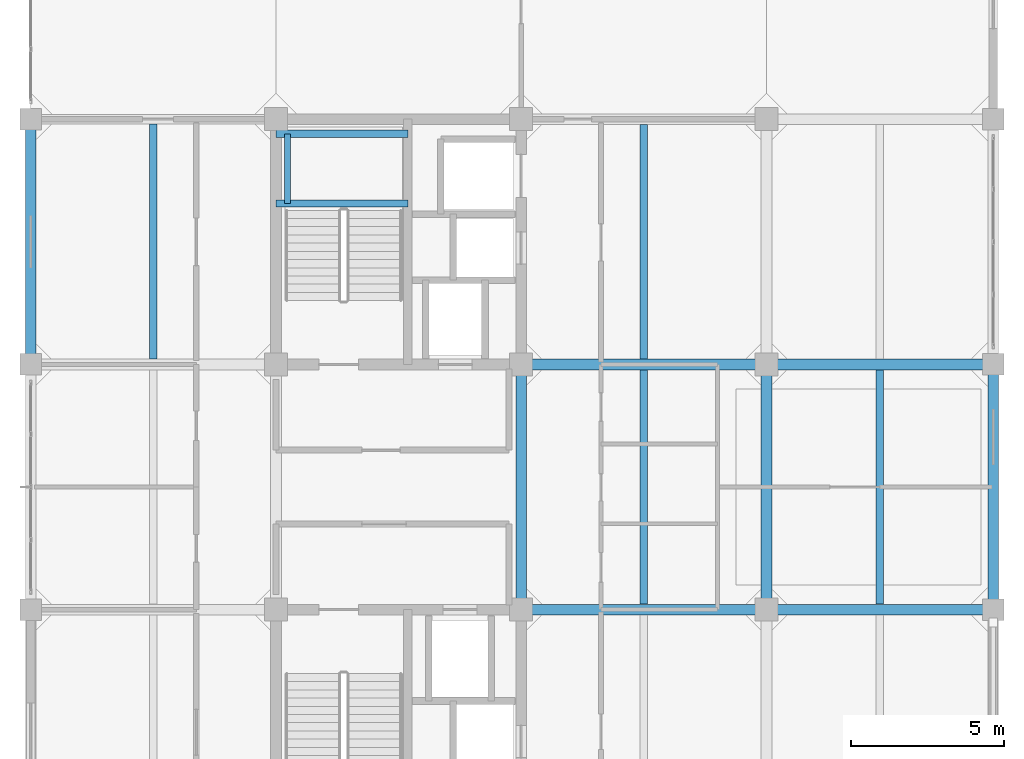
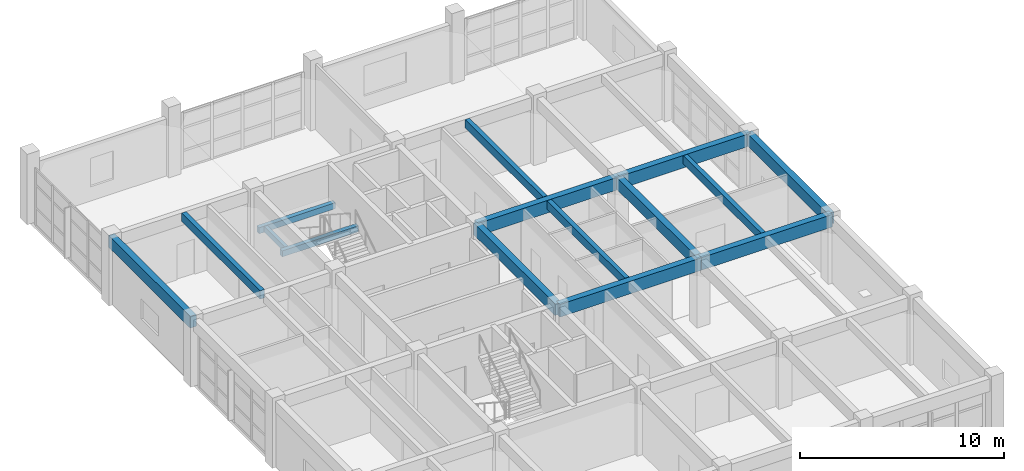
# One storey, part 8 of 19: 15 beams.
"""IFC4 building model written with IfcOpenShell, lengths in metres."""

from ifc_helpers import new_model, si_unit, direction, frame, origin, origin_2d, place, context, subcontext, project, spatial, rectangle, extrude, material, material_profile, profile_set, type_object, element, save


model = new_model("IFC4")

# Units and contexts
model_context = context("Model", 3, precision=1e-05, world=origin(), true_north=direction((0.0, 1.0)))
body_context = subcontext(model_context, "Body", "Model", "MODEL_VIEW")
ifc_project = project(units=[si_unit("LENGTHUNIT", "METRE"), si_unit("AREAUNIT", "SQUARE_METRE"), si_unit("VOLUMEUNIT", "CUBIC_METRE"), si_unit("PLANEANGLEUNIT", "RADIAN"), si_unit("MASSUNIT", "GRAM", prefix="KILO")], contexts=[model_context])

# Site, building, storey
site_placement = place(None, origin())
site = spatial("IfcSite", under=ifc_project, at=site_placement, CompositionType="ELEMENT")
building_placement = place(site_placement, origin())
building = spatial("IfcBuilding", under=site, at=building_placement, Name="Canggui Botanical Conservatory", CompositionType="ELEMENT")
storey_placement = place(building_placement, frame((0.0, 0.0, 44.39990234375)))
storey = spatial("IfcBuildingStorey", under=building, at=storey_placement, Name="L11", CompositionType="ELEMENT", Elevation=44.39990234375)

# Beams
ifc_material = material(Name="Concrete C35", Category="concrete")
ifc_material_profile_1 = material_profile(ifc_material, rectangle(XDim=0.25, YDim=0.5, at=origin_2d()), Name="RB 250x500")
ifc_profile_set_1 = profile_set([ifc_material_profile_1], Name="Concrete C35")
beam_type_1 = type_object("IfcBeamType", Name="BM-JST04", PredefinedType="JOIST", material=ifc_profile_set_1)
beam_1_placement = place(storey_placement, frame((150.0, 58.179931640625, 3.710205078125), z_axis=(0.0, 1.0, 0.0), x_axis=(-1.0, 0.0, 0.0)))
element("IfcBeam", 1, at=beam_1_placement, inside=storey, type_object=beam_type_1, Name="Secondary Floor Joist L11-1-4", PredefinedType="JOIST", context=body_context, shape_type="SweptSolid", body=[
    extrude(rectangle(XDim=0.25, YDim=0.5, at=origin_2d()), origin(), (0.0, 0.0, 1.0), 7.6650390625),
])
for number, where, z_axis, x_axis, name in (
    (2, (166.0, 50.179931640625, 3.710205078125), (0.0, 1.0, 0.0), (-1.0, 0.0, 0.0), "Secondary Floor Joist L11-3-3"),
    (3, (166.0, 58.179931640625, 3.710205078125), (0.0, 1.0, 0.0), (-1.0, 0.0, 0.0), "Secondary Floor Joist L11-3-4"),
    (4, (173.699951171875, 50.179931640625, 3.710205078125), (0.0, 1.0, 0.0), (-1.0, 0.0, 0.0), "Secondary Floor Joist L11-4-3"),
):
    element("IfcBeam", number, at=place(storey_placement, frame(where, z_axis=z_axis, x_axis=x_axis)), inside=storey, type_object=beam_type_1, Name=name, PredefinedType="JOIST", context=body_context, shape_type="SweptSolid", body=[
        extrude(rectangle(XDim=0.25, YDim=0.5, at=origin_2d()), origin(), (0.0, 0.0, 1.0), 7.64013671875),
    ])
ifc_material_profile_2 = material_profile(ifc_material, rectangle(XDim=0.35009765625, YDim=0.75, at=origin_2d()), Name="RB 350x750")
ifc_profile_set_2 = profile_set([ifc_material_profile_2], Name="Concrete C35")
beam_type_2 = type_object("IfcBeamType", Name="BM-KL16", PredefinedType="BEAM", material=ifc_profile_set_2)
beam_2_placement = place(storey_placement, frame((162.0, 50.0, 3.585205078125), z_axis=(1.0, 0.0, 0.0), x_axis=(0.0, 1.0, 0.0)))
element("IfcBeam", 5, at=beam_2_placement, inside=storey, type_object=beam_type_2, Name="Frame Girder L11 Y50-3", PredefinedType="BEAM", context=body_context, shape_type="SweptSolid", body=[
    extrude(rectangle(XDim=0.35009765625, YDim=0.75, at=origin_2d()), origin(), (0.0, 0.0, 1.0), 8.0),
])
beam_3_placement = place(storey_placement, frame((170.0, 50.0, 3.585205078125), z_axis=(1.0, 0.0, 0.0), x_axis=(0.0, 1.0, 0.0)))
element("IfcBeam", 6, at=beam_3_placement, inside=storey, type_object=beam_type_2, Name="Frame Girder L11 Y50-4", PredefinedType="BEAM", context=body_context, shape_type="SweptSolid", body=[
    extrude(rectangle(XDim=0.35009765625, YDim=0.75, at=origin_2d()), origin(), (0.0, 0.0, 1.0), 7.39990234375),
])
beam_4_placement = place(storey_placement, frame((162.0, 58.0, 3.585205078125), z_axis=(1.0, 0.0, 0.0), x_axis=(0.0, 1.0, 0.0)))
element("IfcBeam", 7, at=beam_4_placement, inside=storey, type_object=beam_type_2, Name="Frame Girder L11 Y58-3", PredefinedType="BEAM", context=body_context, shape_type="SweptSolid", body=[
    extrude(rectangle(XDim=0.35009765625, YDim=0.75, at=origin_2d()), origin(), (0.0, 0.0, 1.0), 8.0),
])
beam_5_placement = place(storey_placement, frame((170.0, 58.0, 3.585205078125), z_axis=(1.0, 0.0, 0.0), x_axis=(0.0, 1.0, 0.0)))
element("IfcBeam", 8, at=beam_5_placement, inside=storey, type_object=beam_type_2, Name="Frame Girder L11 Y58-4", PredefinedType="BEAM", context=body_context, shape_type="SweptSolid", body=[
    extrude(rectangle(XDim=0.35009765625, YDim=0.75, at=origin_2d()), origin(), (0.0, 0.0, 1.0), 7.39990234375),
])
ifc_material_profile_3 = material_profile(ifc_material, rectangle(XDim=0.35009765625, YDim=0.699951171875, at=origin_2d()), Name="RB 350x700")
ifc_profile_set_3 = profile_set([ifc_material_profile_3], Name="Concrete C35")
beam_type_3 = type_object("IfcBeamType", Name="BM-KL17", PredefinedType="BEAM", material=ifc_profile_set_3)
for number, where, z_axis, x_axis, name in (
    (9, (146.0, 58.0, 3.610107421875), (0.0, 1.0, 0.0), (-1.0, 0.0, 0.0), "Frame Girder L11 X146-4"),
    (10, (162.0, 50.0, 3.610107421875), (0.0, 1.0, 0.0), (-1.0, 0.0, 0.0), "Frame Girder L11 X162-3"),
    (11, (170.0, 50.0, 3.610107421875), (0.0, 1.0, 0.0), (-1.0, 0.0, 0.0), "Frame Girder L11 X170-3"),
    (12, (177.39990234375, 50.0, 3.610107421875), (0.0, 1.0, 0.0), (-1.0, 0.0, 0.0), "Frame Girder L11 X178-3"),
):
    element("IfcBeam", number, at=place(storey_placement, frame(where, z_axis=z_axis, x_axis=x_axis)), inside=storey, type_object=beam_type_3, Name=name, PredefinedType="BEAM", context=body_context, shape_type="SweptSolid", body=[
        extrude(rectangle(XDim=0.35009765625, YDim=0.699951171875, at=origin_2d()), origin(), (0.0, 0.0, 1.0), 8.0),
    ])
ifc_material_profile_4 = material_profile(ifc_material, rectangle(XDim=0.239990234375, YDim=0.360107421875, at=origin_2d()), Name="RB 240x360")
ifc_profile_set_4 = profile_set([ifc_material_profile_4], Name="Concrete C35")
beam_type_4 = type_object("IfcBeamType", Name="BM-LIN01", PredefinedType="LINTEL", material=ifc_profile_set_4)
for number, where, z_axis, x_axis, name in (
    (13, (154.0, 63.24755859375, 1.72021484375), (1.0, 0.0, 0.0), (0.0, 1.0, 0.0), "ST-T2 Half-Landing Ledger Beam L11-1.1"),
    (14, (154.0, 65.52001953125, 1.72021484375), (1.0, 0.0, 0.0), (0.0, 1.0, 0.0), "ST-T2 Half-Landing Ledger Beam L11-1.2"),
):
    element("IfcBeam", number, at=place(storey_placement, frame(where, z_axis=z_axis, x_axis=x_axis)), inside=storey, type_object=beam_type_4, Name=name, PredefinedType="LINTEL", context=body_context, shape_type="SweptSolid", body=[
        extrude(rectangle(XDim=0.239990234375, YDim=0.360107421875, at=origin_2d()), origin(), (0.0, 0.0, 1.0), 4.300048828125),
    ])
ifc_material_profile_5 = material_profile(ifc_material, rectangle(XDim=0.199951171875, YDim=0.320068359375, at=origin_2d()), Name="RB 200x320")
ifc_profile_set_5 = profile_set([ifc_material_profile_5], Name="Concrete C35")
beam_type_5 = type_object("IfcBeamType", Name="BM-LIN02", PredefinedType="LINTEL", material=ifc_profile_set_5)
beam_6_placement = place(storey_placement, frame((154.3798828125, 63.24755859375, 1.72021484375), z_axis=(0.0, 1.0, 0.0), x_axis=(-1.0, 0.0, 0.0)))
element("IfcBeam", 15, at=beam_6_placement, inside=storey, type_object=beam_type_5, Name="ST-T2 Half-Landing Edge Ledger L11-1.3", PredefinedType="LINTEL", context=body_context, shape_type="SweptSolid", body=[
    extrude(rectangle(XDim=0.199951171875, YDim=0.320068359375, at=origin_2d()), origin(), (0.0, 0.0, 1.0), 2.2724609375),
])

save(model, "model.ifc")
